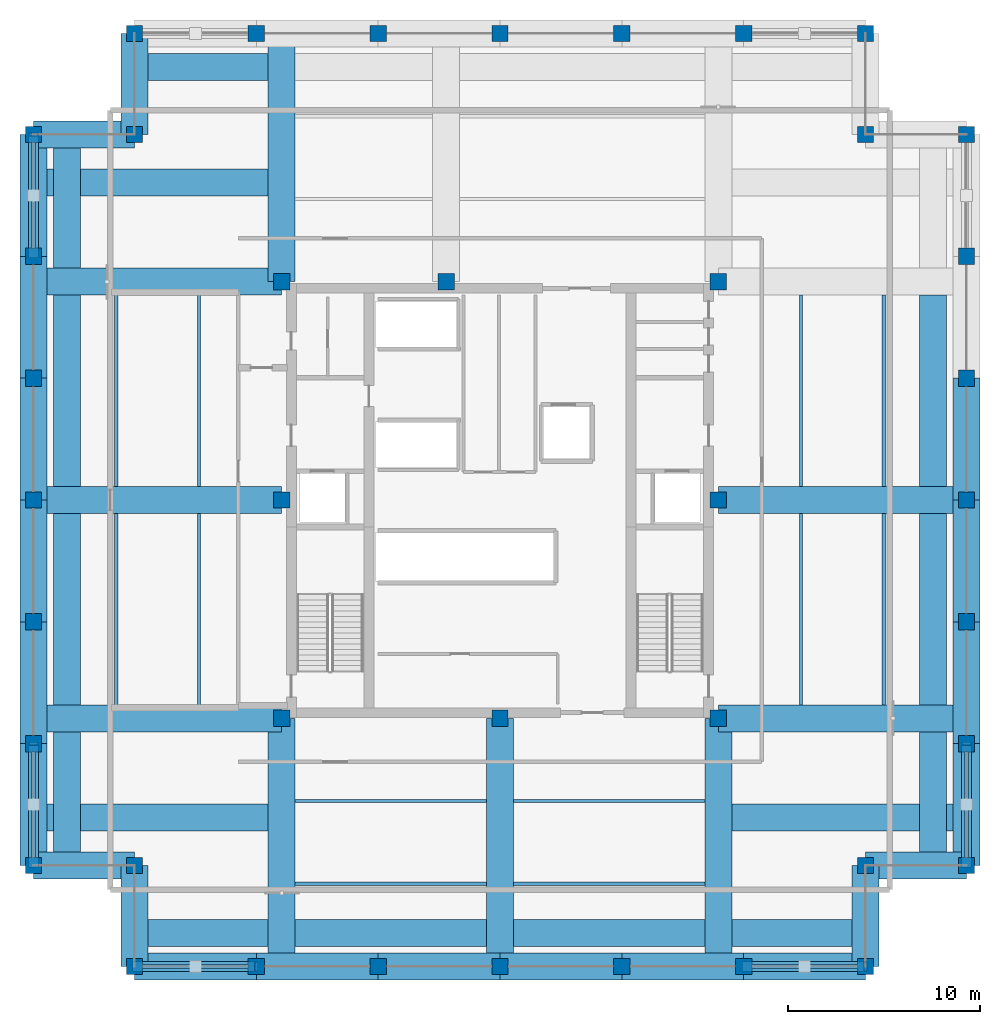
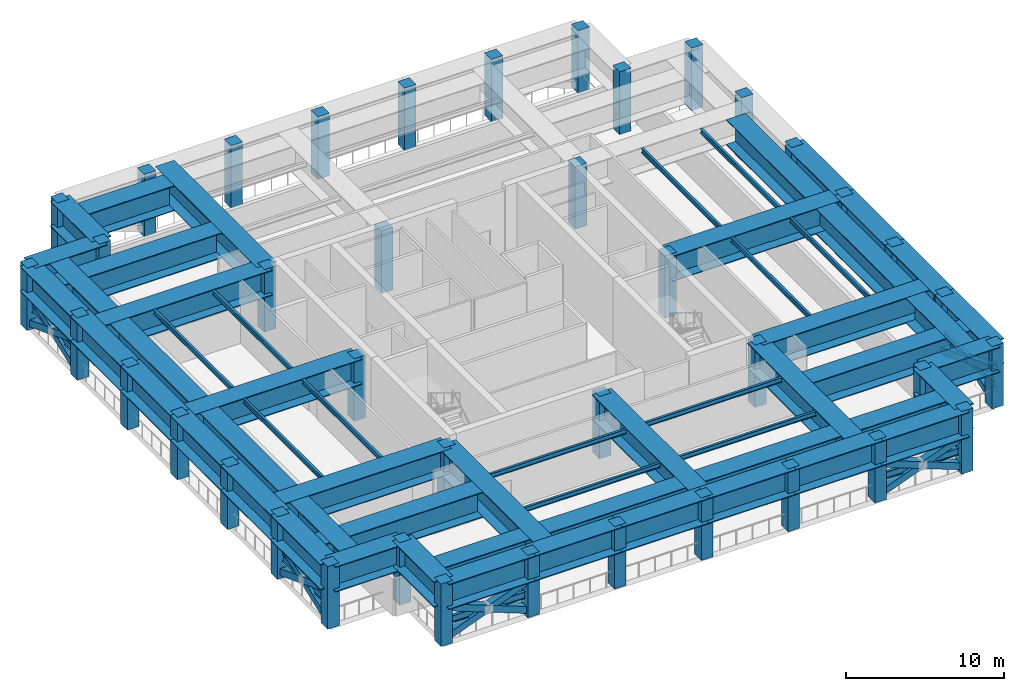
# One storey, part 1 of 10: 60 beams, 40 columns, 15 members.
"""IFC4 building model written with IfcOpenShell, lengths in metres."""

from ifc_helpers import new_model, si_unit, direction, frame, origin, origin_2d, place, context, subcontext, project, spatial, rectangle, hollow_rectangle, i_section, extrude, material, material_profile, profile_set, type_object, element, save


model = new_model("IFC4")

# Units and contexts
model_context = context("Model", 3, precision=1e-05, world=origin(), true_north=direction((0.0, 1.0)))
body_context = subcontext(model_context, "Body", "Model", "MODEL_VIEW")
ifc_project = project(units=[si_unit("LENGTHUNIT", "METRE"), si_unit("AREAUNIT", "SQUARE_METRE"), si_unit("VOLUMEUNIT", "CUBIC_METRE"), si_unit("PLANEANGLEUNIT", "RADIAN"), si_unit("MASSUNIT", "GRAM", prefix="KILO")], contexts=[model_context])

# Site, building, storey
site_placement = place(None, origin())
site = spatial("IfcSite", under=ifc_project, at=site_placement, CompositionType="ELEMENT")
building_placement = place(site_placement, origin())
building = spatial("IfcBuilding", under=site, at=building_placement, Name="Nhamokura Convention Tower", CompositionType="ELEMENT")
storey_placement = place(building_placement, frame((0.0, 0.0, 252.35009765625)))
storey = spatial("IfcBuildingStorey", under=building, at=storey_placement, Name="L62", CompositionType="ELEMENT", Elevation=252.35009765625)

# Columns
ifc_material_1 = material(Name="Concrete C50/60", Category="concrete")
ifc_material_profile_1 = material_profile(ifc_material_1, rectangle(XDim=0.85009765625, YDim=0.85009765625, at=origin_2d()))
ifc_profile_set_1 = profile_set([ifc_material_profile_1], Name="Concrete C50/60")
column_type = type_object("IfcColumnType", Name="TubeColumn_Z3_850", PredefinedType="COLUMN", material=ifc_profile_set_1)
for number, where, z_axis, x_axis, name in (
    (1, (20.64990234375, 20.64990234375, 0.0), (0.0, 0.0, 1.0), (1.0, 0.0, 0.0), "L62 Core Column CC-SW"),
    (2, (32.0, 20.64990234375, 0.0), (0.0, 0.0, 1.0), (1.0, 0.0, 0.0), "L62 Core Column CC-S"),
    (3, (43.35009765625, 20.64990234375, 0.0), (0.0, 0.0, 1.0), (1.0, 0.0, 0.0), "L62 Core Column CC-SE"),
    (4, (43.35009765625, 32.0, 0.0), (0.0, 0.0, 1.0), (1.0, 0.0, 0.0), "L62 Core Column CC-E"),
    (5, (43.35009765625, 43.35009765625, 0.0), (0.0, 0.0, 1.0), (1.0, 0.0, 0.0), "L62 Core Column CC-NE"),
    (6, (29.199951171875, 43.35009765625, 0.0), (0.0, 0.0, 1.0), (1.0, 0.0, 0.0), "L62 Core Column CC-N"),
    (7, (20.64990234375, 43.35009765625, 0.0), (0.0, 0.0, 1.0), (1.0, 0.0, 0.0), "L62 Core Column CC-NW"),
    (8, (20.64990234375, 32.0, 0.0), (0.0, 0.0, 1.0), (1.0, 0.0, 0.0), "L62 Core Column CC-W"),
    (9, (13.0, 7.75, 0.0), (0.0, 0.0, 1.0), (1.0, 0.0, 0.0), "L62 Perimeter Tube Column SW1"),
    (10, (13.0, 13.0, 0.0), (0.0, 0.0, 1.0), (1.0, 0.0, 0.0), "L62 Perimeter Tube Column SW0"),
    (11, (7.75, 13.0, 0.0), (0.0, 0.0, 1.0), (1.0, 0.0, 0.0), "L62 Perimeter Tube Column SW2"),
    (12, (51.0, 7.75, 0.0), (0.0, 0.0, 1.0), (1.0, 0.0, 0.0), "L62 Perimeter Tube Column SE1"),
    (13, (51.0, 13.0, 0.0), (0.0, 0.0, 1.0), (1.0, 0.0, 0.0), "L62 Perimeter Tube Column SE0"),
    (14, (56.25, 13.0, 0.0), (0.0, 0.0, 1.0), (1.0, 0.0, 0.0), "L62 Perimeter Tube Column SE2"),
    (15, (56.25, 51.0, 0.0), (0.0, 0.0, 1.0), (1.0, 0.0, 0.0), "L62 Perimeter Tube Column NE1"),
    (16, (51.0, 51.0, 0.0), (0.0, 0.0, 1.0), (1.0, 0.0, 0.0), "L62 Perimeter Tube Column NE0"),
    (17, (51.0, 56.25, 0.0), (0.0, 0.0, 1.0), (1.0, 0.0, 0.0), "L62 Perimeter Tube Column NE2"),
    (18, (13.0, 56.25, 0.0), (0.0, 0.0, 1.0), (1.0, 0.0, 0.0), "L62 Perimeter Tube Column NW1"),
    (19, (13.0, 51.0, 0.0), (0.0, 0.0, 1.0), (1.0, 0.0, 0.0), "L62 Perimeter Tube Column NW0"),
    (20, (7.75, 51.0, 0.0), (0.0, 0.0, 1.0), (1.0, 0.0, 0.0), "L62 Perimeter Tube Column NW2"),
    (21, (19.333251953125, 7.75, 0.0), (0.0, 0.0, 1.0), (1.0, 0.0, 0.0), "L62 Perimeter Tube Column S1"),
    (22, (19.333251953125, 56.25, 0.0), (0.0, 0.0, 1.0), (1.0, 0.0, 0.0), "L62 Perimeter Tube Column N1"),
    (23, (7.75, 19.333251953125, 0.0), (0.0, 0.0, 1.0), (1.0, 0.0, 0.0), "L62 Perimeter Tube Column W1"),
    (24, (56.25, 19.333251953125, 0.0), (0.0, 0.0, 1.0), (1.0, 0.0, 0.0), "L62 Perimeter Tube Column E1"),
    (25, (25.666748046875, 7.75, 0.0), (0.0, 0.0, 1.0), (1.0, 0.0, 0.0), "L62 Perimeter Tube Column S2"),
    (26, (25.666748046875, 56.25, 0.0), (0.0, 0.0, 1.0), (1.0, 0.0, 0.0), "L62 Perimeter Tube Column N2"),
    (27, (7.75, 25.666748046875, 0.0), (0.0, 0.0, 1.0), (1.0, 0.0, 0.0), "L62 Perimeter Tube Column W2"),
    (28, (56.25, 25.666748046875, 0.0), (0.0, 0.0, 1.0), (1.0, 0.0, 0.0), "L62 Perimeter Tube Column E2"),
    (29, (32.0, 7.75, 0.0), (0.0, 0.0, 1.0), (1.0, 0.0, 0.0), "L62 Perimeter Tube Column S3"),
    (30, (32.0, 56.25, 0.0), (0.0, 0.0, 1.0), (1.0, 0.0, 0.0), "L62 Perimeter Tube Column N3"),
    (31, (7.75, 32.0, 0.0), (0.0, 0.0, 1.0), (1.0, 0.0, 0.0), "L62 Perimeter Tube Column W3"),
    (32, (56.25, 32.0, 0.0), (0.0, 0.0, 1.0), (1.0, 0.0, 0.0), "L62 Perimeter Tube Column E3"),
    (33, (38.333251953125, 7.75, 0.0), (0.0, 0.0, 1.0), (1.0, 0.0, 0.0), "L62 Perimeter Tube Column S4"),
    (34, (38.333251953125, 56.25, 0.0), (0.0, 0.0, 1.0), (1.0, 0.0, 0.0), "L62 Perimeter Tube Column N4"),
    (35, (7.75, 38.333251953125, 0.0), (0.0, 0.0, 1.0), (1.0, 0.0, 0.0), "L62 Perimeter Tube Column W4"),
    (36, (56.25, 38.333251953125, 0.0), (0.0, 0.0, 1.0), (1.0, 0.0, 0.0), "L62 Perimeter Tube Column E4"),
    (37, (44.666748046875, 7.75, 0.0), (0.0, 0.0, 1.0), (1.0, 0.0, 0.0), "L62 Perimeter Tube Column S5"),
    (38, (44.666748046875, 56.25, 0.0), (0.0, 0.0, 1.0), (1.0, 0.0, 0.0), "L62 Perimeter Tube Column N5"),
    (39, (7.75, 44.666748046875, 0.0), (0.0, 0.0, 1.0), (1.0, 0.0, 0.0), "L62 Perimeter Tube Column W5"),
    (40, (56.25, 44.666748046875, 0.0), (0.0, 0.0, 1.0), (1.0, 0.0, 0.0), "L62 Perimeter Tube Column E5"),
):
    element("IfcColumn", number, at=place(storey_placement, frame(where, z_axis=z_axis, x_axis=x_axis)), inside=storey, type_object=column_type, Name=name, PredefinedType="COLUMN", context=body_context, shape_type="SweptSolid", body=[
        extrude(rectangle(XDim=0.85009765625, YDim=0.85009765625, at=origin_2d()), origin(), (0.0, 0.0, 1.0), 4.829833984375),
    ])

# Beams
ifc_material_2 = material(Name="Steel ASTM A992 Gr 50", Category="steel")
ifc_material_profile_2 = material_profile(ifc_material_2, i_section(OverallWidth=0.172119140625, OverallDepth=0.35791015625, WebThickness=0.0078125, FlangeThickness=0.01318359375, at=origin_2d()))
ifc_profile_set_2 = profile_set([ifc_material_profile_2], Name="Steel ASTM A992 Gr 50")
beam_type_1 = type_object("IfcBeamType", Name="FloorJoist_W360X57", PredefinedType="JOIST", material=ifc_profile_set_2)
for number, where, z_axis, x_axis, name in (
    (41, (21.347900390625, 12.050048828125, 4.65087890625), (1.0, 0.0, 0.0), (0.0, 1.0, 0.0), "L62 Composite Floor Joist S1A"),
    (42, (32.697998046875, 12.050048828125, 4.65087890625), (1.0, 0.0, 0.0), (0.0, 1.0, 0.0), "L62 Composite Floor Joist S1B"),
    (43, (21.347900390625, 16.35009765625, 4.65087890625), (1.0, 0.0, 0.0), (0.0, 1.0, 0.0), "L62 Composite Floor Joist S2A"),
    (44, (32.697998046875, 16.35009765625, 4.65087890625), (1.0, 0.0, 0.0), (0.0, 1.0, 0.0), "L62 Composite Floor Joist S2B"),
    (45, (12.050048828125, 21.347900390625, 4.65087890625), (0.0, 1.0, 0.0), (-1.0, 0.0, 0.0), "L62 Composite Floor Joist W1A"),
    (46, (12.050048828125, 32.697998046875, 4.65087890625), (0.0, 1.0, 0.0), (-1.0, 0.0, 0.0), "L62 Composite Floor Joist W1B"),
    (47, (16.35009765625, 21.347900390625, 4.65087890625), (0.0, 1.0, 0.0), (-1.0, 0.0, 0.0), "L62 Composite Floor Joist W2A"),
    (48, (16.35009765625, 32.697998046875, 4.65087890625), (0.0, 1.0, 0.0), (-1.0, 0.0, 0.0), "L62 Composite Floor Joist W2B"),
    (49, (47.64990234375, 21.347900390625, 4.65087890625), (0.0, 1.0, 0.0), (-1.0, 0.0, 0.0), "L62 Composite Floor Joist E1A"),
    (50, (47.64990234375, 32.697998046875, 4.65087890625), (0.0, 1.0, 0.0), (-1.0, 0.0, 0.0), "L62 Composite Floor Joist E1B"),
    (51, (51.949951171875, 21.347900390625, 4.65087890625), (0.0, 1.0, 0.0), (-1.0, 0.0, 0.0), "L62 Composite Floor Joist E2A"),
    (52, (51.949951171875, 32.697998046875, 4.65087890625), (0.0, 1.0, 0.0), (-1.0, 0.0, 0.0), "L62 Composite Floor Joist E2B"),
):
    element("IfcBeam", number, at=place(storey_placement, frame(where, z_axis=z_axis, x_axis=x_axis)), inside=storey, type_object=beam_type_1, Name=name, PredefinedType="JOIST", context=body_context, shape_type="SweptSolid", body=[
        extrude(i_section(OverallWidth=0.172119140625, OverallDepth=0.35791015625, WebThickness=0.0078125, FlangeThickness=0.01318359375, at=origin_2d()), origin(), (0.0, 0.0, 1.0), 9.9541015625),
    ])

# Members
ifc_material_3 = material(Name="Steel ASTM A572 Gr 50", Category="steel")
ifc_material_profile_3 = material_profile(ifc_material_3, hollow_rectangle(XDim=0.5, YDim=0.5, WallThickness=0.02490234375, at=origin_2d()))
ifc_profile_set_3 = profile_set([ifc_material_profile_3], Name="Steel ASTM A572 Gr 50")
member_type = type_object("IfcMemberType", Name="OutriggerBrace_HSS500", PredefinedType="BRACE", material=ifc_profile_set_3)
member_1_placement = place(storey_placement, frame((13.0, 7.75, 0.349853515625), z_axis=(0.933638416339, 0.0, 0.358216844294), x_axis=(0.0, 1.0, 0.0)))
element("IfcMember", 53, at=member_1_placement, inside=storey, type_object=member_type, Name="L62 Continuous Outrigger Diagonal OUT-S0-1", PredefinedType="BRACE", context=body_context, shape_type="SweptSolid", body=[
    extrude(hollow_rectangle(XDim=0.5, YDim=0.5, WallThickness=0.02490234375, at=origin_2d()), origin(), (0.0, 0.0, 1.0), 6.783447265625),
])
member_2_placement = place(storey_placement, frame((13.0, 7.75, 2.77978515625), z_axis=(0.933655070262, 0.0, -0.358173435327), x_axis=(0.0, 1.0, 0.0)))
element("IfcMember", 54, at=member_2_placement, inside=storey, type_object=member_type, Name="L62 Split Outrigger Diagonal OUT-S0-2A", PredefinedType="BRACE", context=body_context, shape_type="SweptSolid", body=[
    extrude(hollow_rectangle(XDim=0.5, YDim=0.5, WallThickness=0.02490234375, at=origin_2d()), origin(), (0.0, 0.0, 1.0), 3.391845703125),
])
member_3_placement = place(storey_placement, frame((16.166748046875, 7.75, 1.56494140625), z_axis=(0.933621759708, 0.0, -0.358260254284), x_axis=(0.0, 1.0, 0.0)))
element("IfcMember", 55, at=member_3_placement, inside=storey, type_object=member_type, Name="L62 Split Outrigger Diagonal OUT-S0-2B", PredefinedType="BRACE", context=body_context, shape_type="SweptSolid", body=[
    extrude(hollow_rectangle(XDim=0.5, YDim=0.5, WallThickness=0.02490234375, at=origin_2d()), origin(), (0.0, 0.0, 1.0), 3.3916015625),
])
member_4_placement = place(storey_placement, frame((44.666748046875, 7.75, 0.349853515625), z_axis=(0.933638416339, 0.0, 0.358216844294), x_axis=(0.0, 1.0, 0.0)))
element("IfcMember", 56, at=member_4_placement, inside=storey, type_object=member_type, Name="L62 Continuous Outrigger Diagonal OUT-S5-1", PredefinedType="BRACE", context=body_context, shape_type="SweptSolid", body=[
    extrude(hollow_rectangle(XDim=0.5, YDim=0.5, WallThickness=0.02490234375, at=origin_2d()), origin(), (0.0, 0.0, 1.0), 6.783447265625),
])
member_5_placement = place(storey_placement, frame((44.666748046875, 7.75, 2.77978515625), z_axis=(0.933645835121, 0.0, -0.358197507754), x_axis=(0.0, 1.0, 0.0)))
element("IfcMember", 57, at=member_5_placement, inside=storey, type_object=member_type, Name="L62 Split Outrigger Diagonal OUT-S5-2A", PredefinedType="BRACE", context=body_context, shape_type="SweptSolid", body=[
    extrude(hollow_rectangle(XDim=0.5, YDim=0.5, WallThickness=0.02490234375, at=origin_2d()), origin(), (0.0, 0.0, 1.0), 3.3916015625),
])
member_6_placement = place(storey_placement, frame((47.833251953125, 7.75, 1.56494140625), z_axis=(0.933630997846, 0.0, -0.358236178882), x_axis=(0.0, 1.0, 0.0)))
element("IfcMember", 58, at=member_6_placement, inside=storey, type_object=member_type, Name="L62 Split Outrigger Diagonal OUT-S5-2B", PredefinedType="BRACE", context=body_context, shape_type="SweptSolid", body=[
    extrude(hollow_rectangle(XDim=0.5, YDim=0.5, WallThickness=0.02490234375, at=origin_2d()), origin(), (0.0, 0.0, 1.0), 3.391845703125),
])
member_7_placement = place(storey_placement, frame((7.75, 13.0, 0.349853515625), z_axis=(0.0, 0.933638416339, 0.358216844294), x_axis=(-1.0, 0.0, 0.0)))
element("IfcMember", 59, at=member_7_placement, inside=storey, type_object=member_type, Name="L62 Continuous Outrigger Diagonal OUT-W0-1", PredefinedType="BRACE", context=body_context, shape_type="SweptSolid", body=[
    extrude(hollow_rectangle(XDim=0.5, YDim=0.5, WallThickness=0.02490234375, at=origin_2d()), origin(), (0.0, 0.0, 1.0), 6.783447265625),
])
member_8_placement = place(storey_placement, frame((7.75, 13.0, 2.77978515625), z_axis=(0.0, 0.933655070262, -0.358173435327), x_axis=(-1.0, 0.0, 0.0)))
element("IfcMember", 60, at=member_8_placement, inside=storey, type_object=member_type, Name="L62 Split Outrigger Diagonal OUT-W0-2A", PredefinedType="BRACE", context=body_context, shape_type="SweptSolid", body=[
    extrude(hollow_rectangle(XDim=0.5, YDim=0.5, WallThickness=0.02490234375, at=origin_2d()), origin(), (0.0, 0.0, 1.0), 3.391845703125),
])
member_9_placement = place(storey_placement, frame((7.75, 16.166748046875, 1.56494140625), z_axis=(0.0, 0.933621759708, -0.358260254284), x_axis=(-1.0, 0.0, 0.0)))
element("IfcMember", 61, at=member_9_placement, inside=storey, type_object=member_type, Name="L62 Split Outrigger Diagonal OUT-W0-2B", PredefinedType="BRACE", context=body_context, shape_type="SweptSolid", body=[
    extrude(hollow_rectangle(XDim=0.5, YDim=0.5, WallThickness=0.02490234375, at=origin_2d()), origin(), (0.0, 0.0, 1.0), 3.3916015625),
])
member_10_placement = place(storey_placement, frame((7.75, 44.666748046875, 0.349853515625), z_axis=(0.0, 0.933638416339, 0.358216844294), x_axis=(-1.0, 0.0, 0.0)))
element("IfcMember", 62, at=member_10_placement, inside=storey, type_object=member_type, Name="L62 Continuous Outrigger Diagonal OUT-W5-1", PredefinedType="BRACE", context=body_context, shape_type="SweptSolid", body=[
    extrude(hollow_rectangle(XDim=0.5, YDim=0.5, WallThickness=0.02490234375, at=origin_2d()), origin(), (0.0, 0.0, 1.0), 6.783447265625),
])
member_11_placement = place(storey_placement, frame((7.75, 44.666748046875, 2.77978515625), z_axis=(0.0, 0.933645835121, -0.358197507754), x_axis=(-1.0, 0.0, 0.0)))
element("IfcMember", 63, at=member_11_placement, inside=storey, type_object=member_type, Name="L62 Split Outrigger Diagonal OUT-W5-2A", PredefinedType="BRACE", context=body_context, shape_type="SweptSolid", body=[
    extrude(hollow_rectangle(XDim=0.5, YDim=0.5, WallThickness=0.02490234375, at=origin_2d()), origin(), (0.0, 0.0, 1.0), 3.3916015625),
])
member_12_placement = place(storey_placement, frame((7.75, 47.833251953125, 1.56494140625), z_axis=(0.0, 0.933630997846, -0.358236178882), x_axis=(-1.0, 0.0, 0.0)))
element("IfcMember", 64, at=member_12_placement, inside=storey, type_object=member_type, Name="L62 Split Outrigger Diagonal OUT-W5-2B", PredefinedType="BRACE", context=body_context, shape_type="SweptSolid", body=[
    extrude(hollow_rectangle(XDim=0.5, YDim=0.5, WallThickness=0.02490234375, at=origin_2d()), origin(), (0.0, 0.0, 1.0), 3.391845703125),
])
member_13_placement = place(storey_placement, frame((56.25, 13.0, 0.349853515625), z_axis=(0.0, 0.933638416339, 0.358216844294), x_axis=(-1.0, 0.0, 0.0)))
element("IfcMember", 65, at=member_13_placement, inside=storey, type_object=member_type, Name="L62 Continuous Outrigger Diagonal OUT-E0-1", PredefinedType="BRACE", context=body_context, shape_type="SweptSolid", body=[
    extrude(hollow_rectangle(XDim=0.5, YDim=0.5, WallThickness=0.02490234375, at=origin_2d()), origin(), (0.0, 0.0, 1.0), 6.783447265625),
])
member_14_placement = place(storey_placement, frame((56.25, 13.0, 2.77978515625), z_axis=(0.0, 0.933655070262, -0.358173435327), x_axis=(-1.0, 0.0, 0.0)))
element("IfcMember", 66, at=member_14_placement, inside=storey, type_object=member_type, Name="L62 Split Outrigger Diagonal OUT-E0-2A", PredefinedType="BRACE", context=body_context, shape_type="SweptSolid", body=[
    extrude(hollow_rectangle(XDim=0.5, YDim=0.5, WallThickness=0.02490234375, at=origin_2d()), origin(), (0.0, 0.0, 1.0), 3.391845703125),
])
member_15_placement = place(storey_placement, frame((56.25, 16.166748046875, 1.56494140625), z_axis=(0.0, 0.933621759708, -0.358260254284), x_axis=(-1.0, 0.0, 0.0)))
element("IfcMember", 67, at=member_15_placement, inside=storey, type_object=member_type, Name="L62 Split Outrigger Diagonal OUT-E0-2B", PredefinedType="BRACE", context=body_context, shape_type="SweptSolid", body=[
    extrude(hollow_rectangle(XDim=0.5, YDim=0.5, WallThickness=0.02490234375, at=origin_2d()), origin(), (0.0, 0.0, 1.0), 3.3916015625),
])

# Beams
ifc_material_4 = material(Name="Steel ASTM A992 Gr 50", Category="steel")
ifc_material_profile_4 = material_profile(ifc_material_4, i_section(OverallWidth=0.208984375, OverallDepth=0.532958984375, WebThickness=0.01025390625, FlangeThickness=0.015625, at=origin_2d()))
ifc_profile_set_4 = profile_set([ifc_material_profile_4], Name="Steel ASTM A992 Gr 50")
beam_type_2 = type_object("IfcBeamType", Name="PrimaryGirder_W530X92", PredefinedType="BEAM", material=ifc_profile_set_4)
for number, where, z_axis, x_axis, name in (
    (68, (13.0, 7.75, 1.56494140625), (1.0, 0.0, 0.0), (0.0, 1.0, 0.0), "L62 Outrigger X-Brace Node Tie Beam OUT-S0"),
    (69, (44.666748046875, 7.75, 1.56494140625), (1.0, 0.0, 0.0), (0.0, 1.0, 0.0), "L62 Outrigger X-Brace Node Tie Beam OUT-S5"),
    (70, (7.75, 13.0, 1.56494140625), (0.0, 1.0, 0.0), (-1.0, 0.0, 0.0), "L62 Outrigger X-Brace Node Tie Beam OUT-W0"),
    (71, (7.75, 44.666748046875, 1.56494140625), (0.0, 1.0, 0.0), (-1.0, 0.0, 0.0), "L62 Outrigger X-Brace Node Tie Beam OUT-W5"),
    (72, (56.25, 13.0, 1.56494140625), (0.0, 1.0, 0.0), (-1.0, 0.0, 0.0), "L62 Outrigger X-Brace Node Tie Beam OUT-E0"),
):
    element("IfcBeam", number, at=place(storey_placement, frame(where, z_axis=z_axis, x_axis=x_axis)), inside=storey, type_object=beam_type_2, Name=name, PredefinedType="BEAM", context=body_context, shape_type="SweptSolid", body=[
        extrude(i_section(OverallWidth=0.208984375, OverallDepth=0.532958984375, WebThickness=0.01025390625, FlangeThickness=0.015625, at=origin_2d()), origin(), (0.0, 0.0, 1.0), 6.333251953125),
    ])
ifc_material_5 = material(Name="Steel ASTM A572 Gr 50", Category="steel")
ifc_material_profile_5 = material_profile(ifc_material_5, i_section(OverallWidth=1.39990234375, OverallDepth=1.9599609375, WebThickness=0.054931640625, FlangeThickness=0.06005859375, at=origin_2d()))
ifc_profile_set_5 = profile_set([ifc_material_profile_5], Name="Steel ASTM A572 Gr 50")
beam_type_3 = type_object("IfcBeamType", Name="TransferGirder_2000", PredefinedType="USERDEFINED", material=ifc_profile_set_5)
beam_1_placement = place(storey_placement, frame((13.0, 7.75, 3.849853515625), z_axis=(1.0, 0.0, 0.0), x_axis=(0.0, 1.0, 0.0)))
element("IfcBeam", 73, at=beam_1_placement, inside=storey, type_object=beam_type_3, Name="L62 Perimeter Transfer Spandrel SOUTH 1", ObjectType="TRANSFER_GIRDER", PredefinedType="USERDEFINED", context=body_context, shape_type="SweptSolid", body=[
    extrude(i_section(OverallWidth=1.39990234375, OverallDepth=1.9599609375, WebThickness=0.054931640625, FlangeThickness=0.06005859375, at=origin_2d()), origin(), (0.0, 0.0, 1.0), 6.333251953125),
])
beam_2_placement = place(storey_placement, frame((19.333251953125, 7.75, 3.849853515625), z_axis=(1.0, 0.0, 0.0), x_axis=(0.0, 1.0, 0.0)))
element("IfcBeam", 74, at=beam_2_placement, inside=storey, type_object=beam_type_3, Name="L62 Perimeter Transfer Spandrel SOUTH 2", ObjectType="TRANSFER_GIRDER", PredefinedType="USERDEFINED", context=body_context, shape_type="SweptSolid", body=[
    extrude(i_section(OverallWidth=1.39990234375, OverallDepth=1.9599609375, WebThickness=0.054931640625, FlangeThickness=0.06005859375, at=origin_2d()), origin(), (0.0, 0.0, 1.0), 6.33349609375),
])
for number, where, z_axis, x_axis, name in (
    (75, (25.666748046875, 7.75, 3.849853515625), (1.0, 0.0, 0.0), (0.0, 1.0, 0.0), "L62 Perimeter Transfer Spandrel SOUTH 3"),
    (76, (32.0, 7.75, 3.849853515625), (1.0, 0.0, 0.0), (0.0, 1.0, 0.0), "L62 Perimeter Transfer Spandrel SOUTH 4"),
):
    element("IfcBeam", number, at=place(storey_placement, frame(where, z_axis=z_axis, x_axis=x_axis)), inside=storey, type_object=beam_type_3, Name=name, ObjectType="TRANSFER_GIRDER", PredefinedType="USERDEFINED", context=body_context, shape_type="SweptSolid", body=[
        extrude(i_section(OverallWidth=1.39990234375, OverallDepth=1.9599609375, WebThickness=0.054931640625, FlangeThickness=0.06005859375, at=origin_2d()), origin(), (0.0, 0.0, 1.0), 6.333251953125),
    ])
beam_3_placement = place(storey_placement, frame((38.333251953125, 7.75, 3.849853515625), z_axis=(1.0, 0.0, 0.0), x_axis=(0.0, 1.0, 0.0)))
element("IfcBeam", 77, at=beam_3_placement, inside=storey, type_object=beam_type_3, Name="L62 Perimeter Transfer Spandrel SOUTH 5", ObjectType="TRANSFER_GIRDER", PredefinedType="USERDEFINED", context=body_context, shape_type="SweptSolid", body=[
    extrude(i_section(OverallWidth=1.39990234375, OverallDepth=1.9599609375, WebThickness=0.054931640625, FlangeThickness=0.06005859375, at=origin_2d()), origin(), (0.0, 0.0, 1.0), 6.33349609375),
])
for number, where, z_axis, x_axis, name in (
    (78, (44.666748046875, 7.75, 3.849853515625), (1.0, 0.0, 0.0), (0.0, 1.0, 0.0), "L62 Perimeter Transfer Spandrel SOUTH 6"),
    (79, (7.75, 13.0, 3.849853515625), (0.0, 1.0, 0.0), (-1.0, 0.0, 0.0), "L62 Perimeter Transfer Spandrel WEST 1"),
):
    element("IfcBeam", number, at=place(storey_placement, frame(where, z_axis=z_axis, x_axis=x_axis)), inside=storey, type_object=beam_type_3, Name=name, ObjectType="TRANSFER_GIRDER", PredefinedType="USERDEFINED", context=body_context, shape_type="SweptSolid", body=[
        extrude(i_section(OverallWidth=1.39990234375, OverallDepth=1.9599609375, WebThickness=0.054931640625, FlangeThickness=0.06005859375, at=origin_2d()), origin(), (0.0, 0.0, 1.0), 6.333251953125),
    ])
beam_4_placement = place(storey_placement, frame((7.75, 19.333251953125, 3.849853515625), z_axis=(0.0, 1.0, 0.0), x_axis=(-1.0, 0.0, 0.0)))
element("IfcBeam", 80, at=beam_4_placement, inside=storey, type_object=beam_type_3, Name="L62 Perimeter Transfer Spandrel WEST 2", ObjectType="TRANSFER_GIRDER", PredefinedType="USERDEFINED", context=body_context, shape_type="SweptSolid", body=[
    extrude(i_section(OverallWidth=1.39990234375, OverallDepth=1.9599609375, WebThickness=0.054931640625, FlangeThickness=0.06005859375, at=origin_2d()), origin(), (0.0, 0.0, 1.0), 6.33349609375),
])
for number, where, z_axis, x_axis, name in (
    (81, (7.75, 25.666748046875, 3.849853515625), (0.0, 1.0, 0.0), (-1.0, 0.0, 0.0), "L62 Perimeter Transfer Spandrel WEST 3"),
    (82, (7.75, 32.0, 3.849853515625), (0.0, 1.0, 0.0), (-1.0, 0.0, 0.0), "L62 Perimeter Transfer Spandrel WEST 4"),
):
    element("IfcBeam", number, at=place(storey_placement, frame(where, z_axis=z_axis, x_axis=x_axis)), inside=storey, type_object=beam_type_3, Name=name, ObjectType="TRANSFER_GIRDER", PredefinedType="USERDEFINED", context=body_context, shape_type="SweptSolid", body=[
        extrude(i_section(OverallWidth=1.39990234375, OverallDepth=1.9599609375, WebThickness=0.054931640625, FlangeThickness=0.06005859375, at=origin_2d()), origin(), (0.0, 0.0, 1.0), 6.333251953125),
    ])
beam_5_placement = place(storey_placement, frame((7.75, 38.333251953125, 3.849853515625), z_axis=(0.0, 1.0, 0.0), x_axis=(-1.0, 0.0, 0.0)))
element("IfcBeam", 83, at=beam_5_placement, inside=storey, type_object=beam_type_3, Name="L62 Perimeter Transfer Spandrel WEST 5", ObjectType="TRANSFER_GIRDER", PredefinedType="USERDEFINED", context=body_context, shape_type="SweptSolid", body=[
    extrude(i_section(OverallWidth=1.39990234375, OverallDepth=1.9599609375, WebThickness=0.054931640625, FlangeThickness=0.06005859375, at=origin_2d()), origin(), (0.0, 0.0, 1.0), 6.33349609375),
])
for number, where, z_axis, x_axis, name in (
    (84, (7.75, 44.666748046875, 3.849853515625), (0.0, 1.0, 0.0), (-1.0, 0.0, 0.0), "L62 Perimeter Transfer Spandrel WEST 6"),
    (85, (56.25, 13.0, 3.849853515625), (0.0, 1.0, 0.0), (-1.0, 0.0, 0.0), "L62 Perimeter Transfer Spandrel EAST 1"),
):
    element("IfcBeam", number, at=place(storey_placement, frame(where, z_axis=z_axis, x_axis=x_axis)), inside=storey, type_object=beam_type_3, Name=name, ObjectType="TRANSFER_GIRDER", PredefinedType="USERDEFINED", context=body_context, shape_type="SweptSolid", body=[
        extrude(i_section(OverallWidth=1.39990234375, OverallDepth=1.9599609375, WebThickness=0.054931640625, FlangeThickness=0.06005859375, at=origin_2d()), origin(), (0.0, 0.0, 1.0), 6.333251953125),
    ])
beam_6_placement = place(storey_placement, frame((56.25, 19.333251953125, 3.849853515625), z_axis=(0.0, 1.0, 0.0), x_axis=(-1.0, 0.0, 0.0)))
element("IfcBeam", 86, at=beam_6_placement, inside=storey, type_object=beam_type_3, Name="L62 Perimeter Transfer Spandrel EAST 2", ObjectType="TRANSFER_GIRDER", PredefinedType="USERDEFINED", context=body_context, shape_type="SweptSolid", body=[
    extrude(i_section(OverallWidth=1.39990234375, OverallDepth=1.9599609375, WebThickness=0.054931640625, FlangeThickness=0.06005859375, at=origin_2d()), origin(), (0.0, 0.0, 1.0), 6.33349609375),
])
for number, where, z_axis, x_axis, name in (
    (87, (56.25, 25.666748046875, 3.849853515625), (0.0, 1.0, 0.0), (-1.0, 0.0, 0.0), "L62 Perimeter Transfer Spandrel EAST 3"),
    (88, (56.25, 32.0, 3.849853515625), (0.0, 1.0, 0.0), (-1.0, 0.0, 0.0), "L62 Perimeter Transfer Spandrel EAST 4"),
):
    element("IfcBeam", number, at=place(storey_placement, frame(where, z_axis=z_axis, x_axis=x_axis)), inside=storey, type_object=beam_type_3, Name=name, ObjectType="TRANSFER_GIRDER", PredefinedType="USERDEFINED", context=body_context, shape_type="SweptSolid", body=[
        extrude(i_section(OverallWidth=1.39990234375, OverallDepth=1.9599609375, WebThickness=0.054931640625, FlangeThickness=0.06005859375, at=origin_2d()), origin(), (0.0, 0.0, 1.0), 6.333251953125),
    ])
for number, where, z_axis, x_axis, name in (
    (89, (13.0, 7.75, 3.849853515625), (0.0, 1.0, 0.0), (-1.0, 0.0, 0.0), "L62 Notch Transfer Spandrel SW1"),
    (90, (13.0, 13.0, 3.849853515625), (-1.0, 0.0, 0.0), (0.0, -1.0, 0.0), "L62 Notch Transfer Spandrel SW2"),
    (91, (51.0, 7.75, 3.849853515625), (0.0, 1.0, 0.0), (-1.0, 0.0, 0.0), "L62 Notch Transfer Spandrel SE1"),
    (92, (51.0, 13.0, 3.849853515625), (1.0, 0.0, 0.0), (0.0, 1.0, 0.0), "L62 Notch Transfer Spandrel SE2"),
    (93, (13.0, 56.25, 3.849853515625), (0.0, -1.0, 0.0), (1.0, 0.0, 0.0), "L62 Notch Transfer Spandrel NW1"),
    (94, (13.0, 51.0, 3.849853515625), (-1.0, 0.0, 0.0), (0.0, -1.0, 0.0), "L62 Notch Transfer Spandrel NW2"),
):
    element("IfcBeam", number, at=place(storey_placement, frame(where, z_axis=z_axis, x_axis=x_axis)), inside=storey, type_object=beam_type_3, Name=name, ObjectType="TRANSFER_GIRDER", PredefinedType="USERDEFINED", context=body_context, shape_type="SweptSolid", body=[
        extrude(i_section(OverallWidth=1.39990234375, OverallDepth=1.9599609375, WebThickness=0.054931640625, FlangeThickness=0.06005859375, at=origin_2d()), origin(), (0.0, 0.0, 1.0), 5.25),
    ])
beam_7_placement = place(storey_placement, frame((13.697998046875, 9.5, 3.849853515625), z_axis=(1.0, 0.0, 0.0), x_axis=(0.0, 1.0, 0.0)))
element("IfcBeam", 95, at=beam_7_placement, inside=storey, type_object=beam_type_3, Name="L62 Upper-Line Transfer Girder TGU-SW", ObjectType="TRANSFER_GIRDER", PredefinedType="USERDEFINED", context=body_context, shape_type="SweptSolid", body=[
    extrude(i_section(OverallWidth=1.39990234375, OverallDepth=1.9599609375, WebThickness=0.054931640625, FlangeThickness=0.06005859375, at=origin_2d()), origin(), (0.0, 0.0, 1.0), 6.25390625),
])
beam_8_placement = place(storey_placement, frame((21.347900390625, 9.5, 3.849853515625), z_axis=(1.0, 0.0, 0.0), x_axis=(0.0, 1.0, 0.0)))
element("IfcBeam", 96, at=beam_8_placement, inside=storey, type_object=beam_type_3, Name="L62 Upper-Line Transfer Girder TGU-SM", ObjectType="TRANSFER_GIRDER", PredefinedType="USERDEFINED", context=body_context, shape_type="SweptSolid", body=[
    extrude(i_section(OverallWidth=1.39990234375, OverallDepth=1.9599609375, WebThickness=0.054931640625, FlangeThickness=0.06005859375, at=origin_2d()), origin(), (0.0, 0.0, 1.0), 21.30419921875),
])
for number, where, z_axis, x_axis, name in (
    (97, (44.048095703125, 9.5, 3.849853515625), (1.0, 0.0, 0.0), (0.0, 1.0, 0.0), "L62 Upper-Line Transfer Girder TGU-SE"),
    (98, (13.697998046875, 54.5, 3.849853515625), (1.0, 0.0, 0.0), (0.0, 1.0, 0.0), "L62 Upper-Line Transfer Girder TGU-NW"),
    (99, (9.5, 13.697998046875, 3.849853515625), (0.0, 1.0, 0.0), (-1.0, 0.0, 0.0), "L62 Upper-Line Transfer Girder TGU-WS"),
):
    element("IfcBeam", number, at=place(storey_placement, frame(where, z_axis=z_axis, x_axis=x_axis)), inside=storey, type_object=beam_type_3, Name=name, ObjectType="TRANSFER_GIRDER", PredefinedType="USERDEFINED", context=body_context, shape_type="SweptSolid", body=[
        extrude(i_section(OverallWidth=1.39990234375, OverallDepth=1.9599609375, WebThickness=0.054931640625, FlangeThickness=0.06005859375, at=origin_2d()), origin(), (0.0, 0.0, 1.0), 6.25390625),
    ])
beam_9_placement = place(storey_placement, frame((9.5, 21.347900390625, 3.849853515625), z_axis=(0.0, 1.0, 0.0), x_axis=(-1.0, 0.0, 0.0)))
element("IfcBeam", 100, at=beam_9_placement, inside=storey, type_object=beam_type_3, Name="L62 Upper-Line Transfer Girder TGU-WM", ObjectType="TRANSFER_GIRDER", PredefinedType="USERDEFINED", context=body_context, shape_type="SweptSolid", body=[
    extrude(i_section(OverallWidth=1.39990234375, OverallDepth=1.9599609375, WebThickness=0.054931640625, FlangeThickness=0.06005859375, at=origin_2d()), origin(), (0.0, 0.0, 1.0), 21.30419921875),
])
for number, where, z_axis, x_axis, name in (
    (101, (9.5, 44.048095703125, 3.849853515625), (0.0, 1.0, 0.0), (-1.0, 0.0, 0.0), "L62 Upper-Line Transfer Girder TGU-WN"),
    (102, (54.5, 13.697998046875, 3.849853515625), (0.0, 1.0, 0.0), (-1.0, 0.0, 0.0), "L62 Upper-Line Transfer Girder TGU-ES"),
):
    element("IfcBeam", number, at=place(storey_placement, frame(where, z_axis=z_axis, x_axis=x_axis)), inside=storey, type_object=beam_type_3, Name=name, ObjectType="TRANSFER_GIRDER", PredefinedType="USERDEFINED", context=body_context, shape_type="SweptSolid", body=[
        extrude(i_section(OverallWidth=1.39990234375, OverallDepth=1.9599609375, WebThickness=0.054931640625, FlangeThickness=0.06005859375, at=origin_2d()), origin(), (0.0, 0.0, 1.0), 6.25390625),
    ])
beam_10_placement = place(storey_placement, frame((54.5, 21.347900390625, 3.849853515625), z_axis=(0.0, 1.0, 0.0), x_axis=(-1.0, 0.0, 0.0)))
element("IfcBeam", 103, at=beam_10_placement, inside=storey, type_object=beam_type_3, Name="L62 Upper-Line Transfer Girder TGU-EM", ObjectType="TRANSFER_GIRDER", PredefinedType="USERDEFINED", context=body_context, shape_type="SweptSolid", body=[
    extrude(i_section(OverallWidth=1.39990234375, OverallDepth=1.9599609375, WebThickness=0.054931640625, FlangeThickness=0.06005859375, at=origin_2d()), origin(), (0.0, 0.0, 1.0), 21.30419921875),
])
for number, where, z_axis, x_axis, name in (
    (104, (8.447998046875, 15.5, 3.849853515625), (1.0, 0.0, 0.0), (0.0, 1.0, 0.0), "L62 Upper-Line Transfer Girder TGN-SW0"),
    (105, (44.048095703125, 15.5, 3.849853515625), (1.0, 0.0, 0.0), (0.0, 1.0, 0.0), "L62 Upper-Line Transfer Girder TGN-SE0"),
    (106, (8.447998046875, 48.5, 3.849853515625), (1.0, 0.0, 0.0), (0.0, 1.0, 0.0), "L62 Upper-Line Transfer Girder TGN-NW0"),
):
    element("IfcBeam", number, at=place(storey_placement, frame(where, z_axis=z_axis, x_axis=x_axis)), inside=storey, type_object=beam_type_3, Name=name, ObjectType="TRANSFER_GIRDER", PredefinedType="USERDEFINED", context=body_context, shape_type="SweptSolid", body=[
        extrude(i_section(OverallWidth=1.39990234375, OverallDepth=1.9599609375, WebThickness=0.054931640625, FlangeThickness=0.06005859375, at=origin_2d()), origin(), (0.0, 0.0, 1.0), 11.50390625),
    ])
for number, where, z_axis, x_axis, name in (
    (107, (20.64990234375, 7.75, 3.849853515625), (0.0, 1.0, 0.0), (-1.0, 0.0, 0.0), "L62 Primary Floor Girder PG-S1"),
    (108, (32.0, 7.75, 3.849853515625), (0.0, 1.0, 0.0), (-1.0, 0.0, 0.0), "L62 Primary Floor Girder PG-S2"),
    (109, (43.35009765625, 7.75, 3.849853515625), (0.0, 1.0, 0.0), (-1.0, 0.0, 0.0), "L62 Primary Floor Girder PG-S3"),
    (110, (20.64990234375, 43.35009765625, 3.849853515625), (0.0, 1.0, 0.0), (-1.0, 0.0, 0.0), "L62 Primary Floor Girder PG-N1"),
    (111, (7.75, 20.64990234375, 3.849853515625), (1.0, 0.0, 0.0), (0.0, 1.0, 0.0), "L62 Primary Floor Girder PG-W1"),
    (112, (7.75, 32.0, 3.849853515625), (1.0, 0.0, 0.0), (0.0, 1.0, 0.0), "L62 Primary Floor Girder PG-W2"),
    (113, (7.75, 43.35009765625, 3.849853515625), (1.0, 0.0, 0.0), (0.0, 1.0, 0.0), "L62 Primary Floor Girder PG-W3"),
    (114, (43.35009765625, 20.64990234375, 3.849853515625), (1.0, 0.0, 0.0), (0.0, 1.0, 0.0), "L62 Primary Floor Girder PG-E1"),
    (115, (43.35009765625, 32.0, 3.849853515625), (1.0, 0.0, 0.0), (0.0, 1.0, 0.0), "L62 Primary Floor Girder PG-E2"),
):
    element("IfcBeam", number, at=place(storey_placement, frame(where, z_axis=z_axis, x_axis=x_axis)), inside=storey, type_object=beam_type_3, Name=name, ObjectType="TRANSFER_GIRDER", PredefinedType="USERDEFINED", context=body_context, shape_type="SweptSolid", body=[
        extrude(i_section(OverallWidth=1.39990234375, OverallDepth=1.9599609375, WebThickness=0.054931640625, FlangeThickness=0.06005859375, at=origin_2d()), origin(), (0.0, 0.0, 1.0), 12.89990234375),
    ])

save(model, "model.ifc")
